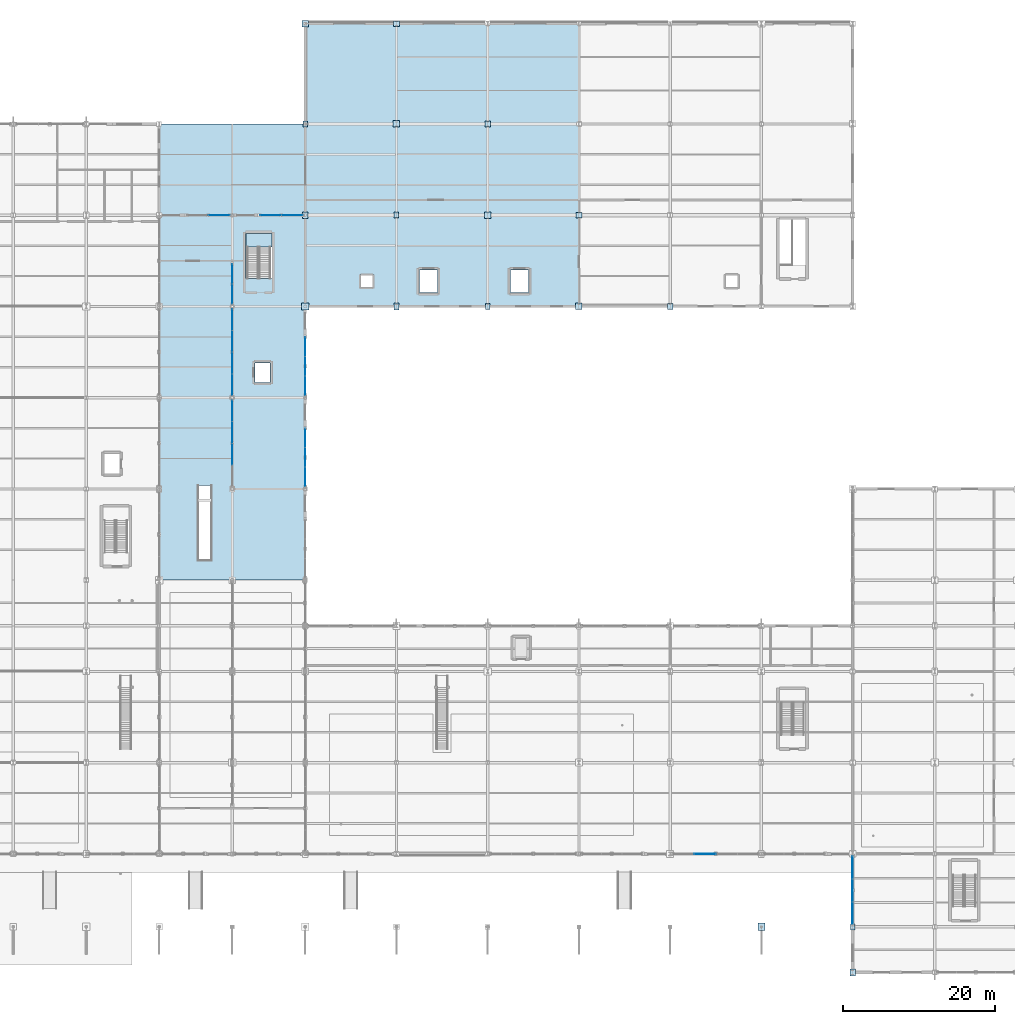
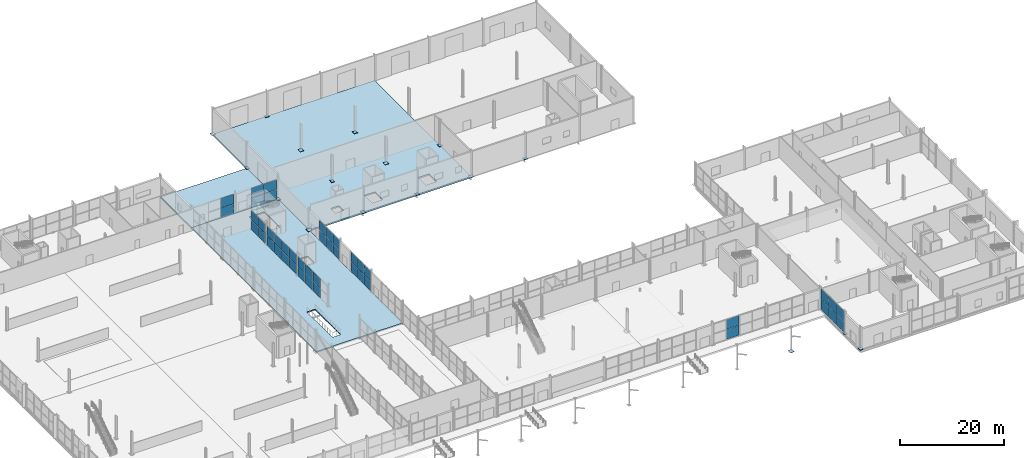
# One storey, part 150 of 196: 61 plates, 4 slabs, 10 elements without a shape of their own.
"""IFC4 building model written with IfcOpenShell, lengths in metres."""

from ifc_helpers import new_model, si_unit, direction, frame, origin, origin_2d, place, context, subcontext, project, spatial, polyline, rectangle, outline, extrude, material, layer, layer_set, type_object, element, aggregate, save


model = new_model("IFC4")

# Units and contexts
model_context = context("Model", 3, precision=1e-05, world=origin(), true_north=direction((0.0, 1.0)))
body_context = subcontext(model_context, "Body", "Model", "MODEL_VIEW")
ifc_project = project(units=[si_unit("LENGTHUNIT", "METRE"), si_unit("AREAUNIT", "SQUARE_METRE"), si_unit("VOLUMEUNIT", "CUBIC_METRE"), si_unit("PLANEANGLEUNIT", "RADIAN"), si_unit("MASSUNIT", "GRAM", prefix="KILO")], contexts=[model_context])

# Site, building, storey
site_placement = place(None, origin())
site = spatial("IfcSite", under=ifc_project, at=site_placement, CompositionType="ELEMENT")
building_placement = place(site_placement, origin())
building = spatial("IfcBuilding", under=site, at=building_placement, Name="Merenkruunu Market Hall", CompositionType="ELEMENT")
storey_placement = place(building_placement, origin())
storey = spatial("IfcBuildingStorey", under=building, at=storey_placement, Name="L00", CompositionType="ELEMENT", Elevation=0.0)

# Plates
ifc_material_1 = material(Name="Steel S355ML", Category="steel")
ifc_layer_1 = layer(ifc_material_1, 0.044921875)
ifc_layer_set_1 = layer_set([ifc_layer_1], Name="Steel S355ML")
plate_type_1 = type_object("IfcPlateType", Name="Column Base Plate BP01", PredefinedType="USERDEFINED", material=ifc_layer_set_1)
for number, where, z_axis, x_axis, name in (
    (1, (76.800048828125, 124.800048828125, 0.0), (0.0, 0.0, 1.0), (1.0, 0.0, 0.0), "PLT-BP-J-13"),
    (2, (88.800048828125, 111.60009765625, 0.0), (0.0, 0.0, 1.0), (1.0, 0.0, 0.0), "PLT-BP-K-12"),
    (3, (100.800048828125, 99.60009765625, 0.0), (0.0, 0.0, 1.0), (1.0, 0.0, 0.0), "PLT-BP-L-11"),
    (4, (112.800048828125, 87.60009765625, 0.0), (0.0, 0.0, 1.0), (1.0, 0.0, 0.0), "PLT-BP-M-10"),
):
    element("IfcPlate", number, at=place(storey_placement, frame(where, z_axis=z_axis, x_axis=x_axis)), inside=storey, type_object=plate_type_1, Name=name, ObjectType="BASE_PLATE", PredefinedType="USERDEFINED", context=body_context, shape_type="SweptSolid", body=[
        extrude(rectangle(XDim=0.85009765625, YDim=0.85009765625, at=origin_2d()), origin(), (0.0, 0.0, 1.0), 0.044921875),
    ])
ifc_layer_2 = layer(ifc_material_1, 0.0400390625)
ifc_layer_set_2 = layer_set([ifc_layer_2], Name="Steel S355ML")
plate_type_2 = type_object("IfcPlateType", Name="Column Base Plate BP02", PredefinedType="USERDEFINED", material=ifc_layer_set_2)
for number, where, z_axis, x_axis, name in (
    (5, (88.800048828125, 124.800048828125, 0.0), (0.0, 0.0, 1.0), (1.0, 0.0, 0.0), "PLT-BP-K-13"),
    (6, (100.800048828125, 111.60009765625, 0.0), (0.0, 0.0, 1.0), (1.0, 0.0, 0.0), "PLT-BP-L-12"),
    (7, (112.800048828125, 99.60009765625, 0.0), (0.0, 0.0, 1.0), (1.0, 0.0, 0.0), "PLT-BP-M-11"),
    (8, (124.800048828125, 87.60009765625, 0.0), (0.0, 0.0, 1.0), (1.0, 0.0, 0.0), "PLT-BP-N-10"),
):
    element("IfcPlate", number, at=place(storey_placement, frame(where, z_axis=z_axis, x_axis=x_axis)), inside=storey, type_object=plate_type_2, Name=name, ObjectType="BASE_PLATE", PredefinedType="USERDEFINED", context=body_context, shape_type="SweptSolid", body=[
        extrude(rectangle(XDim=0.75, YDim=0.75, at=origin_2d()), origin(), (0.0, 0.0, 1.0), 0.0400390625),
    ])
ifc_layer_3 = layer(ifc_material_1, 0.050048828125)
ifc_layer_set_3 = layer_set([ifc_layer_3], Name="Steel S355ML")
plate_type_3 = type_object("IfcPlateType", Name="Column Base Plate BP06", PredefinedType="USERDEFINED", material=ifc_layer_set_3)
for number, where, z_axis, x_axis, name in (
    (9, (76.800048828125, 87.60009765625, 0.0), (0.0, 0.0, 1.0), (1.0, 0.0, 0.0), "PLT-BP-J-10"),
    (10, (136.800048828125, 6.0, 0.0), (0.0, 0.0, 1.0), (1.0, 0.0, 0.0), "PLT-BP-P-02"),
):
    element("IfcPlate", number, at=place(storey_placement, frame(where, z_axis=z_axis, x_axis=x_axis)), inside=storey, type_object=plate_type_3, Name=name, ObjectType="BASE_PLATE", PredefinedType="USERDEFINED", context=body_context, shape_type="SweptSolid", body=[
        extrude(rectangle(XDim=0.949951171875, YDim=0.949951171875, at=origin_2d()), origin(), (0.0, 0.0, 1.0), 0.050048828125),
    ])
ifc_layer_4 = layer(ifc_material_1, 0.0419921875)
ifc_layer_set_4 = layer_set([ifc_layer_4], Name="Steel S355ML")
plate_type_4 = type_object("IfcPlateType", Name="Column Base Plate BP07", PredefinedType="USERDEFINED", material=ifc_layer_set_4)
for number, where, z_axis, x_axis, name in (
    (11, (76.800048828125, 99.60009765625, 0.0), (0.0, 0.0, 1.0), (1.0, 0.0, 0.0), "PLT-BP-J-11"),
    (12, (88.800048828125, 87.60009765625, 0.0), (0.0, 0.0, 1.0), (1.0, 0.0, 0.0), "PLT-BP-K-10"),
    (13, (148.800048828125, 0.0, 0.0), (0.0, 0.0, 1.0), (1.0, 0.0, 0.0), "PLT-BP-Q-01"),
):
    element("IfcPlate", number, at=place(storey_placement, frame(where, z_axis=z_axis, x_axis=x_axis)), inside=storey, type_object=plate_type_4, Name=name, ObjectType="BASE_PLATE", PredefinedType="USERDEFINED", context=body_context, shape_type="SweptSolid", body=[
        extrude(rectangle(XDim=0.699951171875, YDim=0.89990234375, at=origin_2d()), origin(), (0.0, 0.0, 1.0), 0.0419921875),
    ])
ifc_layer_5 = layer(ifc_material_1, 0.0380859375)
ifc_layer_set_5 = layer_set([ifc_layer_5], Name="Steel S355ML")
plate_type_5 = type_object("IfcPlateType", Name="Column Base Plate BP08", PredefinedType="USERDEFINED", material=ifc_layer_set_5)
for number, where, z_axis, x_axis, name in (
    (14, (76.800048828125, 111.60009765625, 0.0), (0.0, 0.0, 1.0), (1.0, 0.0, 0.0), "PLT-BP-J-12"),
    (15, (88.800048828125, 99.60009765625, 0.0), (0.0, 0.0, 1.0), (1.0, 0.0, 0.0), "PLT-BP-K-11"),
    (16, (100.800048828125, 87.60009765625, 0.0), (0.0, 0.0, 1.0), (1.0, 0.0, 0.0), "PLT-BP-L-10"),
    (17, (148.800048828125, 6.0, 0.0), (0.0, 0.0, 1.0), (1.0, 0.0, 0.0), "PLT-BP-Q-02"),
):
    element("IfcPlate", number, at=place(storey_placement, frame(where, z_axis=z_axis, x_axis=x_axis)), inside=storey, type_object=plate_type_5, Name=name, ObjectType="BASE_PLATE", PredefinedType="USERDEFINED", context=body_context, shape_type="SweptSolid", body=[
        extrude(rectangle(XDim=0.60009765625, YDim=0.800048828125, at=origin_2d()), origin(), (0.0, 0.0, 1.0), 0.0380859375),
    ])

# Curtain wall, plates
ifc_material_2 = material(Name="Powder-coated aluminium", Category="aluminium")
curtain_wall_type_1 = type_object("IfcCurtainWallType", Name="Glazed Curtain Wall CW06", PredefinedType="USERDEFINED", material=ifc_material_2)
curtain_wall_1_placement = place(storey_placement, origin())
curtain_wall_1 = element("IfcCurtainWall", 18, at=curtain_wall_1_placement, inside=storey, type_object=curtain_wall_type_1, Name="CW-L00-CWM01-142", ObjectType="GLAZED_FACADE", PredefinedType="USERDEFINED")
ifc_material_3 = material(Name="Triple low-E insulated glass", Category="glass")
ifc_layer_6 = layer(ifc_material_3, 0.035888671875)
ifc_layer_set_6 = layer_set([ifc_layer_6], Name="Triple low-E insulated glass")
plate_type_6 = type_object("IfcPlateType", Name="Curtain Wall Glazing Panel CWP01", PredefinedType="CURTAIN_PANEL", material=ifc_layer_set_6)
plate_1_placement = place(storey_placement, frame((65.47509765625, 99.60009765625, 0.06005859375), z_axis=(0.0, 0.0, 1.0), x_axis=(1.0, 0.0, 0.0)))
plate_1 = element("IfcPlate", 19, at=plate_1_placement, type_object=plate_type_6, Name="CW06 panel 2.1", PredefinedType="CURTAIN_PANEL", context=body_context, shape_type="SweptSolid", body=[
    extrude(rectangle(XDim=2.77001953125, YDim=0.035888671875, at=origin_2d()), origin(), (0.0, 0.0, 1.0), 2.260009765625),
])
plate_2_placement = place(storey_placement, frame((65.47509765625, 99.60009765625, 2.3798828125), z_axis=(0.0, 0.0, 1.0), x_axis=(1.0, 0.0, 0.0)))
plate_2 = element("IfcPlate", 20, at=plate_2_placement, type_object=plate_type_6, Name="CW06 panel 2.2", PredefinedType="CURTAIN_PANEL", context=body_context, shape_type="SweptSolid", body=[
    extrude(rectangle(XDim=2.77001953125, YDim=0.035888671875, at=origin_2d()), origin(), (0.0, 0.0, 1.0), 2.260009765625),
])
aggregate(curtain_wall_1, [plate_1, plate_2])

curtain_wall_2_placement = place(storey_placement, origin())
curtain_wall_2 = element("IfcCurtainWall", 21, at=curtain_wall_2_placement, inside=storey, type_object=curtain_wall_type_1, Name="CW-L00-CWM01-148", ObjectType="GLAZED_FACADE", PredefinedType="USERDEFINED")
plate_3_placement = place(storey_placement, frame((72.2451171875, 99.60009765625, 0.06005859375), z_axis=(0.0, 0.0, 1.0), x_axis=(1.0, 0.0, 0.0)))
plate_3 = element("IfcPlate", 22, at=plate_3_placement, type_object=plate_type_6, Name="CW06 panel 1.1", PredefinedType="CURTAIN_PANEL", context=body_context, shape_type="SweptSolid", body=[
    extrude(rectangle(XDim=2.77001953125, YDim=0.035888671875, at=origin_2d()), origin(), (0.0, 0.0, 1.0), 2.260009765625),
])
plate_4_placement = place(storey_placement, frame((72.2451171875, 99.60009765625, 2.3798828125), z_axis=(0.0, 0.0, 1.0), x_axis=(1.0, 0.0, 0.0)))
plate_4 = element("IfcPlate", 23, at=plate_4_placement, type_object=plate_type_6, Name="CW06 panel 1.2", PredefinedType="CURTAIN_PANEL", context=body_context, shape_type="SweptSolid", body=[
    extrude(rectangle(XDim=2.77001953125, YDim=0.035888671875, at=origin_2d()), origin(), (0.0, 0.0, 1.0), 2.260009765625),
])
plate_5_placement = place(storey_placement, frame((75.074951171875, 99.60009765625, 0.06005859375), z_axis=(0.0, 0.0, 1.0), x_axis=(1.0, 0.0, 0.0)))
plate_5 = element("IfcPlate", 24, at=plate_5_placement, type_object=plate_type_6, Name="CW06 panel 2.1", PredefinedType="CURTAIN_PANEL", context=body_context, shape_type="SweptSolid", body=[
    extrude(rectangle(XDim=2.77001953125, YDim=0.035888671875, at=origin_2d()), origin(), (0.0, 0.0, 1.0), 2.260009765625),
])
plate_6_placement = place(storey_placement, frame((75.074951171875, 99.60009765625, 2.3798828125), z_axis=(0.0, 0.0, 1.0), x_axis=(1.0, 0.0, 0.0)))
plate_6 = element("IfcPlate", 25, at=plate_6_placement, type_object=plate_type_6, Name="CW06 panel 2.2", PredefinedType="CURTAIN_PANEL", context=body_context, shape_type="SweptSolid", body=[
    extrude(rectangle(XDim=2.77001953125, YDim=0.035888671875, at=origin_2d()), origin(), (0.0, 0.0, 1.0), 2.260009765625),
])
aggregate(curtain_wall_2, [plate_3, plate_4, plate_5, plate_6])

curtain_wall_type_2 = type_object("IfcCurtainWallType", Name="Glazed Curtain Wall CW04", PredefinedType="USERDEFINED", material=ifc_material_2)
curtain_wall_3_placement = place(storey_placement, origin())
curtain_wall_3 = element("IfcCurtainWall", 26, at=curtain_wall_3_placement, inside=storey, type_object=curtain_wall_type_2, Name="CW-L00-CWM02-194", ObjectType="GLAZED_FACADE", PredefinedType="USERDEFINED")
ifc_layer_7 = layer(ifc_material_3, 0.0380859375)
ifc_layer_set_7 = layer_set([ifc_layer_7], Name="Triple low-E insulated glass")
plate_type_7 = type_object("IfcPlateType", Name="Curtain Wall Glazing Panel CWP03", PredefinedType="CURTAIN_PANEL", material=ifc_layer_set_7)
plate_7_placement = place(storey_placement, frame((129.3701171875, 15.60009765625, 0.06005859375), z_axis=(0.0, 0.0, 1.0), x_axis=(-1.0, 0.0, 0.0)))
plate_7 = element("IfcPlate", 27, at=plate_7_placement, type_object=plate_type_7, Name="CW04 panel 3.1", PredefinedType="CURTAIN_PANEL", context=body_context, shape_type="SweptSolid", body=[
    extrude(rectangle(XDim=2.800048828125, YDim=0.0380859375, at=origin_2d()), origin(), (0.0, 0.0, 1.0), 2.284912109375),
])
plate_8_placement = place(storey_placement, frame((129.3701171875, 15.60009765625, 2.4052734375), z_axis=(0.0, 0.0, 1.0), x_axis=(-1.0, 0.0, 0.0)))
plate_8 = element("IfcPlate", 28, at=plate_8_placement, type_object=plate_type_7, Name="CW04 panel 3.2", PredefinedType="CURTAIN_PANEL", context=body_context, shape_type="SweptSolid", body=[
    extrude(rectangle(XDim=2.800048828125, YDim=0.0380859375, at=origin_2d()), origin(), (0.0, 0.0, 1.0), 2.284912109375),
])
aggregate(curtain_wall_3, [plate_7, plate_8])

curtain_wall_type_3 = type_object("IfcCurtainWallType", Name="Glazed Curtain Wall CW12", PredefinedType="USERDEFINED", material=ifc_material_2)
curtain_wall_4_placement = place(storey_placement, origin())
curtain_wall_4 = element("IfcCurtainWall", 29, at=curtain_wall_4_placement, inside=storey, type_object=curtain_wall_type_3, Name="CW-L00-CWM02-162", ObjectType="GLAZED_FACADE", PredefinedType="USERDEFINED")
ifc_layer_8 = layer(ifc_material_3, 0.035888671875)
ifc_layer_set_8 = layer_set([ifc_layer_8], Name="Triple low-E insulated glass")
plate_type_8 = type_object("IfcPlateType", Name="Curtain Wall Glazing Panel CWP05", PredefinedType="CURTAIN_PANEL", material=ifc_layer_set_8)
plate_9_placement = place(storey_placement, frame((76.800048828125, 70.29833984375, 0.06005859375), z_axis=(0.0, 0.0, 1.0), x_axis=(0.0, -1.0, 0.0)))
plate_9 = element("IfcPlate", 30, at=plate_9_placement, type_object=plate_type_8, Name="CW12 panel 1.1", PredefinedType="CURTAIN_PANEL", context=body_context, shape_type="SweptSolid", body=[
    extrude(rectangle(XDim=2.4833984375, YDim=0.035888671875, at=origin_2d()), origin(), (0.0, 0.0, 1.0), 2.284912109375),
])
plate_10_placement = place(storey_placement, frame((76.800048828125, 70.29833984375, 2.4052734375), z_axis=(0.0, 0.0, 1.0), x_axis=(0.0, -1.0, 0.0)))
plate_10 = element("IfcPlate", 31, at=plate_10_placement, type_object=plate_type_8, Name="CW12 panel 1.2", PredefinedType="CURTAIN_PANEL", context=body_context, shape_type="SweptSolid", body=[
    extrude(rectangle(XDim=2.4833984375, YDim=0.035888671875, at=origin_2d()), origin(), (0.0, 0.0, 1.0), 2.284912109375),
])
plate_11_placement = place(storey_placement, frame((76.800048828125, 67.739990234375, 0.06005859375), z_axis=(0.0, 0.0, 1.0), x_axis=(0.0, -1.0, 0.0)))
plate_11 = element("IfcPlate", 32, at=plate_11_placement, type_object=plate_type_8, Name="CW12 panel 2.1", PredefinedType="CURTAIN_PANEL", context=body_context, shape_type="SweptSolid", body=[
    extrude(rectangle(XDim=2.513427734375, YDim=0.035888671875, at=origin_2d()), origin(), (0.0, 0.0, 1.0), 2.284912109375),
])
plate_12_placement = place(storey_placement, frame((76.800048828125, 67.739990234375, 2.4052734375), z_axis=(0.0, 0.0, 1.0), x_axis=(0.0, -1.0, 0.0)))
plate_12 = element("IfcPlate", 33, at=plate_12_placement, type_object=plate_type_8, Name="CW12 panel 2.2", PredefinedType="CURTAIN_PANEL", context=body_context, shape_type="SweptSolid", body=[
    extrude(rectangle(XDim=2.513427734375, YDim=0.035888671875, at=origin_2d()), origin(), (0.0, 0.0, 1.0), 2.284912109375),
])
plate_13_placement = place(storey_placement, frame((76.800048828125, 65.181640625, 0.06005859375), z_axis=(0.0, 0.0, 1.0), x_axis=(0.0, -1.0, 0.0)))
plate_13 = element("IfcPlate", 34, at=plate_13_placement, type_object=plate_type_8, Name="CW12 panel 3.1", PredefinedType="CURTAIN_PANEL", context=body_context, shape_type="SweptSolid", body=[
    extrude(rectangle(XDim=2.4833984375, YDim=0.035888671875, at=origin_2d()), origin(), (0.0, 0.0, 1.0), 2.284912109375),
])
plate_14_placement = place(storey_placement, frame((76.800048828125, 65.181640625, 2.4052734375), z_axis=(0.0, 0.0, 1.0), x_axis=(0.0, -1.0, 0.0)))
plate_14 = element("IfcPlate", 35, at=plate_14_placement, type_object=plate_type_8, Name="CW12 panel 3.2", PredefinedType="CURTAIN_PANEL", context=body_context, shape_type="SweptSolid", body=[
    extrude(rectangle(XDim=2.4833984375, YDim=0.035888671875, at=origin_2d()), origin(), (0.0, 0.0, 1.0), 2.284912109375),
])
aggregate(curtain_wall_4, [plate_9, plate_10, plate_11, plate_12, plate_13, plate_14])

curtain_wall_5_placement = place(storey_placement, origin())
curtain_wall_5 = element("IfcCurtainWall", 36, at=curtain_wall_5_placement, inside=storey, type_object=curtain_wall_type_3, Name="CW-L00-CWM02-165", ObjectType="GLAZED_FACADE", PredefinedType="USERDEFINED")
plate_15_placement = place(storey_placement, frame((76.800048828125, 82.29833984375, 0.06005859375), z_axis=(0.0, 0.0, 1.0), x_axis=(0.0, -1.0, 0.0)))
plate_15 = element("IfcPlate", 37, at=plate_15_placement, type_object=plate_type_8, Name="CW12 panel 1.1", PredefinedType="CURTAIN_PANEL", context=body_context, shape_type="SweptSolid", body=[
    extrude(rectangle(XDim=2.4833984375, YDim=0.035888671875, at=origin_2d()), origin(), (0.0, 0.0, 1.0), 2.284912109375),
])
plate_16_placement = place(storey_placement, frame((76.800048828125, 82.29833984375, 2.4052734375), z_axis=(0.0, 0.0, 1.0), x_axis=(0.0, -1.0, 0.0)))
plate_16 = element("IfcPlate", 38, at=plate_16_placement, type_object=plate_type_8, Name="CW12 panel 1.2", PredefinedType="CURTAIN_PANEL", context=body_context, shape_type="SweptSolid", body=[
    extrude(rectangle(XDim=2.4833984375, YDim=0.035888671875, at=origin_2d()), origin(), (0.0, 0.0, 1.0), 2.284912109375),
])
plate_17_placement = place(storey_placement, frame((76.800048828125, 79.739990234375, 0.06005859375), z_axis=(0.0, 0.0, 1.0), x_axis=(0.0, -1.0, 0.0)))
plate_17 = element("IfcPlate", 39, at=plate_17_placement, type_object=plate_type_8, Name="CW12 panel 2.1", PredefinedType="CURTAIN_PANEL", context=body_context, shape_type="SweptSolid", body=[
    extrude(rectangle(XDim=2.513427734375, YDim=0.035888671875, at=origin_2d()), origin(), (0.0, 0.0, 1.0), 2.284912109375),
])
plate_18_placement = place(storey_placement, frame((76.800048828125, 79.739990234375, 2.4052734375), z_axis=(0.0, 0.0, 1.0), x_axis=(0.0, -1.0, 0.0)))
plate_18 = element("IfcPlate", 40, at=plate_18_placement, type_object=plate_type_8, Name="CW12 panel 2.2", PredefinedType="CURTAIN_PANEL", context=body_context, shape_type="SweptSolid", body=[
    extrude(rectangle(XDim=2.513427734375, YDim=0.035888671875, at=origin_2d()), origin(), (0.0, 0.0, 1.0), 2.284912109375),
])
plate_19_placement = place(storey_placement, frame((76.800048828125, 77.181640625, 0.06005859375), z_axis=(0.0, 0.0, 1.0), x_axis=(0.0, -1.0, 0.0)))
plate_19 = element("IfcPlate", 41, at=plate_19_placement, type_object=plate_type_8, Name="CW12 panel 3.1", PredefinedType="CURTAIN_PANEL", context=body_context, shape_type="SweptSolid", body=[
    extrude(rectangle(XDim=2.4833984375, YDim=0.035888671875, at=origin_2d()), origin(), (0.0, 0.0, 1.0), 2.284912109375),
])
plate_20_placement = place(storey_placement, frame((76.800048828125, 77.181640625, 2.4052734375), z_axis=(0.0, 0.0, 1.0), x_axis=(0.0, -1.0, 0.0)))
plate_20 = element("IfcPlate", 42, at=plate_20_placement, type_object=plate_type_8, Name="CW12 panel 3.2", PredefinedType="CURTAIN_PANEL", context=body_context, shape_type="SweptSolid", body=[
    extrude(rectangle(XDim=2.4833984375, YDim=0.035888671875, at=origin_2d()), origin(), (0.0, 0.0, 1.0), 2.284912109375),
])
aggregate(curtain_wall_5, [plate_15, plate_16, plate_17, plate_18, plate_19, plate_20])

curtain_wall_type_4 = type_object("IfcCurtainWallType", Name="Glazed Curtain Wall CW15", PredefinedType="USERDEFINED", material=ifc_material_2)
curtain_wall_6_placement = place(storey_placement, origin())
curtain_wall_6 = element("IfcCurtainWall", 43, at=curtain_wall_6_placement, inside=storey, type_object=curtain_wall_type_4, Name="CW-L00-CWM01-174", ObjectType="GLAZED_FACADE", PredefinedType="USERDEFINED")
ifc_layer_9 = layer(ifc_material_3, 0.035888671875)
ifc_layer_set_9 = layer_set([ifc_layer_9], Name="Triple low-E insulated glass")
plate_type_9 = type_object("IfcPlateType", Name="Curtain Wall Glazing Panel CWP09", PredefinedType="CURTAIN_PANEL", material=ifc_layer_set_9)
plate_21_placement = place(storey_placement, frame((67.199951171875, 68.169921875, 0.06005859375), z_axis=(0.0, 0.0, 1.0), x_axis=(0.0, 1.0, 0.0)))
plate_21 = element("IfcPlate", 44, at=plate_21_placement, type_object=plate_type_9, Name="CW15 panel 2.1", PredefinedType="CURTAIN_PANEL", context=body_context, shape_type="SweptSolid", body=[
    extrude(rectangle(XDim=2.800048828125, YDim=0.035888671875, at=origin_2d()), origin(), (0.0, 0.0, 1.0), 2.235107421875),
])
plate_22_placement = place(storey_placement, frame((67.199951171875, 68.169921875, 2.35498046875), z_axis=(0.0, 0.0, 1.0), x_axis=(0.0, 1.0, 0.0)))
plate_22 = element("IfcPlate", 45, at=plate_22_placement, type_object=plate_type_9, Name="CW15 panel 2.2", PredefinedType="CURTAIN_PANEL", context=body_context, shape_type="SweptSolid", body=[
    extrude(rectangle(XDim=2.800048828125, YDim=0.035888671875, at=origin_2d()), origin(), (0.0, 0.0, 1.0), 2.235107421875),
])
plate_23_placement = place(storey_placement, frame((67.199951171875, 71.030029296875, 0.06005859375), z_axis=(0.0, 0.0, 1.0), x_axis=(0.0, 1.0, 0.0)))
plate_23 = element("IfcPlate", 46, at=plate_23_placement, type_object=plate_type_9, Name="CW15 panel 3.1", PredefinedType="CURTAIN_PANEL", context=body_context, shape_type="SweptSolid", body=[
    extrude(rectangle(XDim=2.800048828125, YDim=0.035888671875, at=origin_2d()), origin(), (0.0, 0.0, 1.0), 2.235107421875),
])
plate_24_placement = place(storey_placement, frame((67.199951171875, 71.030029296875, 2.35498046875), z_axis=(0.0, 0.0, 1.0), x_axis=(0.0, 1.0, 0.0)))
plate_24 = element("IfcPlate", 47, at=plate_24_placement, type_object=plate_type_9, Name="CW15 panel 3.2", PredefinedType="CURTAIN_PANEL", context=body_context, shape_type="SweptSolid", body=[
    extrude(rectangle(XDim=2.800048828125, YDim=0.035888671875, at=origin_2d()), origin(), (0.0, 0.0, 1.0), 2.235107421875),
])
plate_25_placement = place(storey_placement, frame((67.199951171875, 73.875, 0.06005859375), z_axis=(0.0, 0.0, 1.0), x_axis=(0.0, 1.0, 0.0)))
plate_25 = element("IfcPlate", 48, at=plate_25_placement, type_object=plate_type_9, Name="CW15 panel 4.1", PredefinedType="CURTAIN_PANEL", context=body_context, shape_type="SweptSolid", body=[
    extrude(rectangle(XDim=2.77001953125, YDim=0.035888671875, at=origin_2d()), origin(), (0.0, 0.0, 1.0), 2.235107421875),
])
plate_26_placement = place(storey_placement, frame((67.199951171875, 73.875, 2.35498046875), z_axis=(0.0, 0.0, 1.0), x_axis=(0.0, 1.0, 0.0)))
plate_26 = element("IfcPlate", 49, at=plate_26_placement, type_object=plate_type_9, Name="CW15 panel 4.2", PredefinedType="CURTAIN_PANEL", context=body_context, shape_type="SweptSolid", body=[
    extrude(rectangle(XDim=2.77001953125, YDim=0.035888671875, at=origin_2d()), origin(), (0.0, 0.0, 1.0), 2.235107421875),
])
aggregate(curtain_wall_6, [plate_21, plate_22, plate_23, plate_24, plate_25, plate_26])

curtain_wall_7_placement = place(storey_placement, origin())
curtain_wall_7 = element("IfcCurtainWall", 50, at=curtain_wall_7_placement, inside=storey, type_object=curtain_wall_type_4, Name="CW-L00-CWM01-176", ObjectType="GLAZED_FACADE", PredefinedType="USERDEFINED")
plate_27_placement = place(storey_placement, frame((67.199951171875, 77.324951171875, 0.06005859375), z_axis=(0.0, 0.0, 1.0), x_axis=(0.0, 1.0, 0.0)))
plate_27 = element("IfcPlate", 51, at=plate_27_placement, type_object=plate_type_9, Name="CW15 panel 1.1", PredefinedType="CURTAIN_PANEL", context=body_context, shape_type="SweptSolid", body=[
    extrude(rectangle(XDim=2.77001953125, YDim=0.035888671875, at=origin_2d()), origin(), (0.0, 0.0, 1.0), 2.235107421875),
])
plate_28_placement = place(storey_placement, frame((67.199951171875, 77.324951171875, 2.35498046875), z_axis=(0.0, 0.0, 1.0), x_axis=(0.0, 1.0, 0.0)))
plate_28 = element("IfcPlate", 52, at=plate_28_placement, type_object=plate_type_9, Name="CW15 panel 1.2", PredefinedType="CURTAIN_PANEL", context=body_context, shape_type="SweptSolid", body=[
    extrude(rectangle(XDim=2.77001953125, YDim=0.035888671875, at=origin_2d()), origin(), (0.0, 0.0, 1.0), 2.235107421875),
])
plate_29_placement = place(storey_placement, frame((67.199951171875, 80.169921875, 0.06005859375), z_axis=(0.0, 0.0, 1.0), x_axis=(0.0, 1.0, 0.0)))
plate_29 = element("IfcPlate", 53, at=plate_29_placement, type_object=plate_type_9, Name="CW15 panel 2.1", PredefinedType="CURTAIN_PANEL", context=body_context, shape_type="SweptSolid", body=[
    extrude(rectangle(XDim=2.800048828125, YDim=0.035888671875, at=origin_2d()), origin(), (0.0, 0.0, 1.0), 2.235107421875),
])
plate_30_placement = place(storey_placement, frame((67.199951171875, 80.169921875, 2.35498046875), z_axis=(0.0, 0.0, 1.0), x_axis=(0.0, 1.0, 0.0)))
plate_30 = element("IfcPlate", 54, at=plate_30_placement, type_object=plate_type_9, Name="CW15 panel 2.2", PredefinedType="CURTAIN_PANEL", context=body_context, shape_type="SweptSolid", body=[
    extrude(rectangle(XDim=2.800048828125, YDim=0.035888671875, at=origin_2d()), origin(), (0.0, 0.0, 1.0), 2.235107421875),
])
plate_31_placement = place(storey_placement, frame((67.199951171875, 83.030029296875, 0.06005859375), z_axis=(0.0, 0.0, 1.0), x_axis=(0.0, 1.0, 0.0)))
plate_31 = element("IfcPlate", 55, at=plate_31_placement, type_object=plate_type_9, Name="CW15 panel 3.1", PredefinedType="CURTAIN_PANEL", context=body_context, shape_type="SweptSolid", body=[
    extrude(rectangle(XDim=2.800048828125, YDim=0.035888671875, at=origin_2d()), origin(), (0.0, 0.0, 1.0), 2.235107421875),
])
plate_32_placement = place(storey_placement, frame((67.199951171875, 83.030029296875, 2.35498046875), z_axis=(0.0, 0.0, 1.0), x_axis=(0.0, 1.0, 0.0)))
plate_32 = element("IfcPlate", 56, at=plate_32_placement, type_object=plate_type_9, Name="CW15 panel 3.2", PredefinedType="CURTAIN_PANEL", context=body_context, shape_type="SweptSolid", body=[
    extrude(rectangle(XDim=2.800048828125, YDim=0.035888671875, at=origin_2d()), origin(), (0.0, 0.0, 1.0), 2.235107421875),
])
plate_33_placement = place(storey_placement, frame((67.199951171875, 85.875, 0.06005859375), z_axis=(0.0, 0.0, 1.0), x_axis=(0.0, 1.0, 0.0)))
plate_33 = element("IfcPlate", 57, at=plate_33_placement, type_object=plate_type_9, Name="CW15 panel 4.1", PredefinedType="CURTAIN_PANEL", context=body_context, shape_type="SweptSolid", body=[
    extrude(rectangle(XDim=2.77001953125, YDim=0.035888671875, at=origin_2d()), origin(), (0.0, 0.0, 1.0), 2.235107421875),
])
plate_34_placement = place(storey_placement, frame((67.199951171875, 85.875, 2.35498046875), z_axis=(0.0, 0.0, 1.0), x_axis=(0.0, 1.0, 0.0)))
plate_34 = element("IfcPlate", 58, at=plate_34_placement, type_object=plate_type_9, Name="CW15 panel 4.2", PredefinedType="CURTAIN_PANEL", context=body_context, shape_type="SweptSolid", body=[
    extrude(rectangle(XDim=2.77001953125, YDim=0.035888671875, at=origin_2d()), origin(), (0.0, 0.0, 1.0), 2.235107421875),
])
aggregate(curtain_wall_7, [plate_27, plate_28, plate_29, plate_30, plate_31, plate_32, plate_33, plate_34])

curtain_wall_8_placement = place(storey_placement, origin())
curtain_wall_8 = element("IfcCurtainWall", 59, at=curtain_wall_8_placement, inside=storey, type_object=curtain_wall_type_4, Name="CW-L00-CWM01-178", ObjectType="GLAZED_FACADE", PredefinedType="USERDEFINED")
plate_35_placement = place(storey_placement, frame((67.199951171875, 89.22509765625, 0.06005859375), z_axis=(0.0, 0.0, 1.0), x_axis=(0.0, 1.0, 0.0)))
plate_35 = element("IfcPlate", 60, at=plate_35_placement, type_object=plate_type_9, Name="CW15 panel 1.1", PredefinedType="CURTAIN_PANEL", context=body_context, shape_type="SweptSolid", body=[
    extrude(rectangle(XDim=2.570068359375, YDim=0.035888671875, at=origin_2d()), origin(), (0.0, 0.0, 1.0), 2.235107421875),
])
plate_36_placement = place(storey_placement, frame((67.199951171875, 89.22509765625, 2.35498046875), z_axis=(0.0, 0.0, 1.0), x_axis=(0.0, 1.0, 0.0)))
plate_36 = element("IfcPlate", 61, at=plate_36_placement, type_object=plate_type_9, Name="CW15 panel 1.2", PredefinedType="CURTAIN_PANEL", context=body_context, shape_type="SweptSolid", body=[
    extrude(rectangle(XDim=2.570068359375, YDim=0.035888671875, at=origin_2d()), origin(), (0.0, 0.0, 1.0), 2.235107421875),
])
plate_37_placement = place(storey_placement, frame((67.199951171875, 91.85498046875, 0.06005859375), z_axis=(0.0, 0.0, 1.0), x_axis=(0.0, 1.0, 0.0)))
plate_37 = element("IfcPlate", 62, at=plate_37_placement, type_object=plate_type_9, Name="CW15 panel 2.1", PredefinedType="CURTAIN_PANEL", context=body_context, shape_type="SweptSolid", body=[
    extrude(rectangle(XDim=2.570068359375, YDim=0.035888671875, at=origin_2d()), origin(), (0.0, 0.0, 1.0), 2.235107421875),
])
plate_38_placement = place(storey_placement, frame((67.199951171875, 91.85498046875, 2.35498046875), z_axis=(0.0, 0.0, 1.0), x_axis=(0.0, 1.0, 0.0)))
plate_38 = element("IfcPlate", 63, at=plate_38_placement, type_object=plate_type_9, Name="CW15 panel 2.2", PredefinedType="CURTAIN_PANEL", context=body_context, shape_type="SweptSolid", body=[
    extrude(rectangle(XDim=2.570068359375, YDim=0.035888671875, at=origin_2d()), origin(), (0.0, 0.0, 1.0), 2.235107421875),
])
aggregate(curtain_wall_8, [plate_35, plate_36, plate_37, plate_38])

curtain_wall_type_5 = type_object("IfcCurtainWallType", Name="Glazed Curtain Wall CW14", PredefinedType="USERDEFINED", material=ifc_material_2)
curtain_wall_9_placement = place(storey_placement, origin())
curtain_wall_9 = element("IfcCurtainWall", 64, at=curtain_wall_9_placement, inside=storey, type_object=curtain_wall_type_5, Name="CW-L00-CWM02-204", ObjectType="GLAZED_FACADE", PredefinedType="USERDEFINED")
ifc_layer_10 = layer(ifc_material_3, 0.0380859375)
ifc_layer_set_10 = layer_set([ifc_layer_10], Name="Triple low-E insulated glass")
plate_type_10 = type_object("IfcPlateType", Name="Curtain Wall Glazing Panel CWP10", PredefinedType="CURTAIN_PANEL", material=ifc_layer_set_10)
plate_39_placement = place(storey_placement, frame((148.800048828125, 7.8017578125, 0.06005859375), z_axis=(0.0, 0.0, 1.0), x_axis=(0.0, 1.0, 0.0)))
plate_39 = element("IfcPlate", 65, at=plate_39_placement, type_object=plate_type_10, Name="CW14 panel 1.1", PredefinedType="CURTAIN_PANEL", context=body_context, shape_type="SweptSolid", body=[
    extrude(rectangle(XDim=2.92333984375, YDim=0.0380859375, at=origin_2d()), origin(), (0.0, 0.0, 1.0), 2.43505859375),
])
plate_40_placement = place(storey_placement, frame((148.800048828125, 7.8017578125, 2.554931640625), z_axis=(0.0, 0.0, 1.0), x_axis=(0.0, 1.0, 0.0)))
plate_40 = element("IfcPlate", 66, at=plate_40_placement, type_object=plate_type_10, Name="CW14 panel 1.2", PredefinedType="CURTAIN_PANEL", context=body_context, shape_type="SweptSolid", body=[
    extrude(rectangle(XDim=2.92333984375, YDim=0.0380859375, at=origin_2d()), origin(), (0.0, 0.0, 1.0), 2.43505859375),
])
plate_41_placement = place(storey_placement, frame((148.800048828125, 10.800048828125, 0.06005859375), z_axis=(0.0, 0.0, 1.0), x_axis=(0.0, 1.0, 0.0)))
plate_41 = element("IfcPlate", 67, at=plate_41_placement, type_object=plate_type_10, Name="CW14 panel 2.1", PredefinedType="CURTAIN_PANEL", context=body_context, shape_type="SweptSolid", body=[
    extrude(rectangle(XDim=2.953369140625, YDim=0.0380859375, at=origin_2d()), origin(), (0.0, 0.0, 1.0), 2.43505859375),
])
plate_42_placement = place(storey_placement, frame((148.800048828125, 10.800048828125, 2.554931640625), z_axis=(0.0, 0.0, 1.0), x_axis=(0.0, 1.0, 0.0)))
plate_42 = element("IfcPlate", 68, at=plate_42_placement, type_object=plate_type_10, Name="CW14 panel 2.2", PredefinedType="CURTAIN_PANEL", context=body_context, shape_type="SweptSolid", body=[
    extrude(rectangle(XDim=2.953369140625, YDim=0.0380859375, at=origin_2d()), origin(), (0.0, 0.0, 1.0), 2.43505859375),
])
plate_43_placement = place(storey_placement, frame((148.800048828125, 13.79833984375, 0.06005859375), z_axis=(0.0, 0.0, 1.0), x_axis=(0.0, 1.0, 0.0)))
plate_43 = element("IfcPlate", 69, at=plate_43_placement, type_object=plate_type_10, Name="CW14 panel 3.1", PredefinedType="CURTAIN_PANEL", context=body_context, shape_type="SweptSolid", body=[
    extrude(rectangle(XDim=2.92333984375, YDim=0.0380859375, at=origin_2d()), origin(), (0.0, 0.0, 1.0), 2.43505859375),
])
plate_44_placement = place(storey_placement, frame((148.800048828125, 13.79833984375, 2.554931640625), z_axis=(0.0, 0.0, 1.0), x_axis=(0.0, 1.0, 0.0)))
plate_44 = element("IfcPlate", 70, at=plate_44_placement, type_object=plate_type_10, Name="CW14 panel 3.2", PredefinedType="CURTAIN_PANEL", context=body_context, shape_type="SweptSolid", body=[
    extrude(rectangle(XDim=2.92333984375, YDim=0.0380859375, at=origin_2d()), origin(), (0.0, 0.0, 1.0), 2.43505859375),
])
aggregate(curtain_wall_9, [plate_39, plate_40, plate_41, plate_42, plate_43, plate_44])

# Slab
ifc_material_4 = material(Name="Concrete C35/45", Category="concrete")
ifc_layer_11 = layer(ifc_material_4, 0.39990234375)
ifc_layer_set_11 = layer_set([ifc_layer_11], Name="Concrete C35/45")
slab_type_1 = type_object("IfcSlabType", Name="Exterior Apron Slab FS07", PredefinedType="FLOOR", material=ifc_layer_set_11)
slab_1_placement = place(storey_placement, frame((0.0, 0.0, -0.39990234375)))
element("IfcSlab", 71, at=slab_1_placement, inside=storey, type_object=slab_type_1, Name="SL-L00-APRON-CRT", PredefinedType="FLOOR", context=body_context, shape_type="SweptSolid", body=[
    extrude(outline(polyline([(57.60009765625, 99.60009765625), (76.800048828125, 99.60009765625), (76.800048828125, 111.60009765625), (57.60009765625, 111.60009765625), (57.60009765625, 99.60009765625)])), origin(), (0.0, 0.0, 1.0), 0.39990234375),
])

# Stair, slab
stair_type = type_object("IfcStairType", Name="Two Flight Half Turn Stair ST05", PredefinedType="TWO_STRAIGHT_RUN_STAIR", material=ifc_material_4)
stair_placement = place(storey_placement, origin())
stair = element("IfcStair", 72, at=stair_placement, inside=storey, type_object=stair_type, Name="Protected Stair ST08 (K4 L00-L01)", PredefinedType="TWO_STRAIGHT_RUN_STAIR")
ifc_layer_12 = layer(ifc_material_4, 0.18994140625)
ifc_layer_set_12 = layer_set([ifc_layer_12], Name="Concrete C35/45")
slab_type_2 = type_object("IfcSlabType", Name="Stair Half Landing LS01", PredefinedType="LANDING", material=ifc_layer_set_12)
slab_2_placement = place(storey_placement, frame((0.0, 0.0, 2.510009765625)))
slab_2 = element("IfcSlab", 73, at=slab_2_placement, type_object=slab_type_2, Name="ST08 landing 1", PredefinedType="LANDING", context=body_context, shape_type="SweptSolid", body=[
    extrude(outline(polyline([(68.985107421875, 95.43994140625), (72.4150390625, 95.43994140625), (72.4150390625, 97.215087890625), (68.985107421875, 97.215087890625), (68.985107421875, 95.43994140625)])), origin(), (0.0, 0.0, 1.0), 0.18994140625),
])
aggregate(stair, [slab_2])

# Slabs
ifc_layer_13 = layer(ifc_material_4, 0.340087890625)
ifc_layer_set_13 = layer_set([ifc_layer_13], Name="Concrete C35/45")
slab_type_3 = type_object("IfcSlabType", Name="Suspended Floor Slab FS01", PredefinedType="FLOOR", material=ifc_layer_set_13)
slab_3_placement = place(storey_placement, frame((0.0, 0.0, -0.340087890625)))
element("IfcSlab", 74, at=slab_3_placement, inside=storey, type_object=slab_type_3, Name="SL-L00-V5W", PredefinedType="FLOOR", context=body_context, shape_type="SweptSolid", body=[
    extrude(outline(polyline([(76.800048828125, 87.60009765625), (112.800048828125, 87.60009765625), (112.800048828125, 124.800048828125), (76.800048828125, 124.800048828125), (76.800048828125, 87.60009765625)]), holes=[polyline([(91.820068359375, 89.419921875), (94.179931640625, 89.419921875), (94.179931640625, 92.3798828125), (91.820068359375, 92.3798828125), (91.820068359375, 89.419921875)]), polyline([(103.820068359375, 89.419921875), (106.179931640625, 89.419921875), (106.179931640625, 92.3798828125), (103.820068359375, 92.3798828125), (103.820068359375, 89.419921875)]), polyline([(84.0, 90.0), (85.800048828125, 90.0), (85.800048828125, 91.800048828125), (84.0, 91.800048828125), (84.0, 90.0)])]), origin(), (0.0, 0.0, 1.0), 0.340087890625),
])
ifc_layer_14 = layer(ifc_material_4, 0.300048828125)
ifc_layer_set_14 = layer_set([ifc_layer_14], Name="Concrete C35/45")
slab_type_4 = type_object("IfcSlabType", Name="Suspended Floor Slab FS02", PredefinedType="FLOOR", material=ifc_layer_set_14)
slab_4_placement = place(storey_placement, frame((0.0, 0.0, -0.300048828125)))
element("IfcSlab", 75, at=slab_4_placement, inside=storey, type_object=slab_type_4, Name="SL-L00-V4N", PredefinedType="FLOOR", context=body_context, shape_type="SweptSolid", body=[
    extrude(outline(polyline([(57.60009765625, 51.60009765625), (76.800048828125, 51.60009765625), (76.800048828125, 99.60009765625), (57.60009765625, 99.60009765625), (57.60009765625, 51.60009765625)]), holes=[polyline([(68.989990234375, 91.260009765625), (72.409912109375, 91.260009765625), (72.409912109375, 97.2099609375), (68.989990234375, 97.2099609375), (68.989990234375, 91.260009765625)]), polyline([(62.659912109375, 54.199951171875), (64.5400390625, 54.199951171875), (64.5400390625, 64.050048828125), (62.659912109375, 64.050048828125), (62.659912109375, 54.199951171875)]), polyline([(70.219970703125, 77.6201171875), (72.179931640625, 77.6201171875), (72.179931640625, 80.179931640625), (70.219970703125, 80.179931640625), (70.219970703125, 77.6201171875)])]), origin(), (0.0, 0.0, 1.0), 0.300048828125),
])

save(model, "model.ifc")
